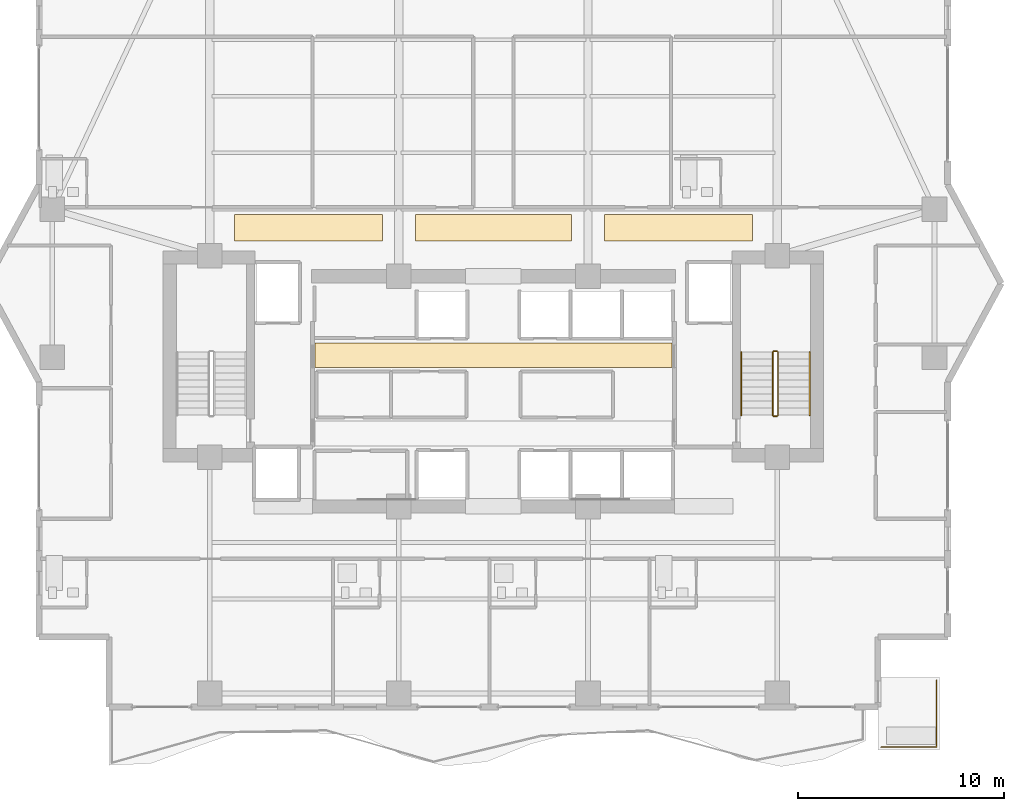
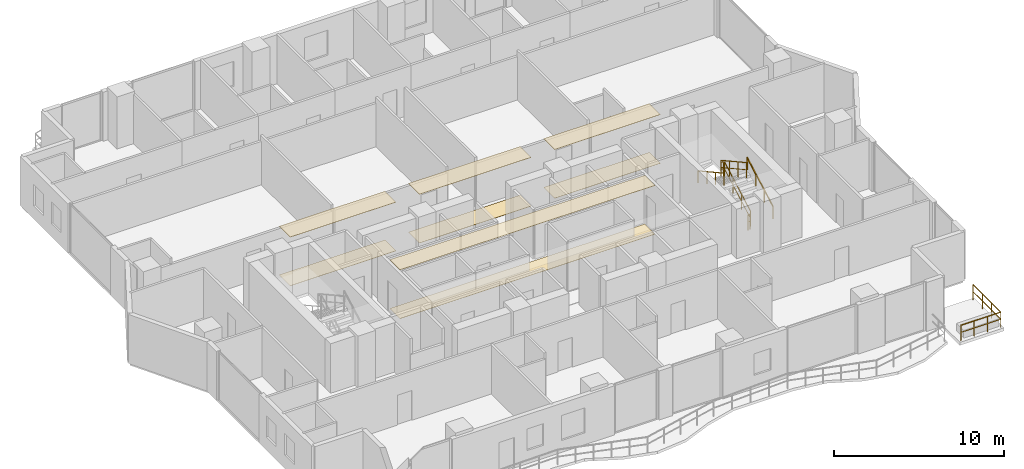
# One storey, part 30 of 32: 8 coverings, 7 railings.
"""IFC4 building model written with IfcOpenShell, lengths in metres."""

from ifc_helpers import new_model, si_unit, direction, frame, origin, origin_2d, place, context, subcontext, project, spatial, polyline, rectangle, outline, extrude, material, layer, layer_set, type_object, element, save


model = new_model("IFC4")

# Units and contexts
model_context = context("Model", 3, precision=1e-05, world=origin(), true_north=direction((0.0, 1.0)))
body_context = subcontext(model_context, "Body", "Model", "MODEL_VIEW")
ifc_project = project(units=[si_unit("LENGTHUNIT", "METRE"), si_unit("AREAUNIT", "SQUARE_METRE"), si_unit("VOLUMEUNIT", "CUBIC_METRE"), si_unit("PLANEANGLEUNIT", "RADIAN"), si_unit("MASSUNIT", "GRAM", prefix="KILO")], contexts=[model_context])

# Site, building, storey
site_placement = place(None, origin())
site = spatial("IfcSite", under=ifc_project, at=site_placement, CompositionType="ELEMENT")
building_placement = place(site_placement, origin())
building = spatial("IfcBuilding", under=site, at=building_placement, Name="Zuhayl Quay Hotel", CompositionType="ELEMENT")
storey_placement = place(building_placement, frame((0.0, 0.0, 203.64990234375)))
storey = spatial("IfcBuildingStorey", under=building, at=storey_placement, Name="L51", CompositionType="ELEMENT", Elevation=203.64990234375)

# Coverings
ifc_material_1 = material(Name="Acoustic Mineral-Fibre Gypsum Board")
ifc_layer_1 = layer(ifc_material_1, 0.02490234375, Name="Acoustic Mineral-Fibre Gypsum Board")
ifc_layer_set_1 = layer_set([ifc_layer_1], Name="Acoustic Mineral-Fibre Gypsum Board")
covering_type_1 = type_object("IfcCoveringType", Name="CV_CEIL_ACOUSTIC", PredefinedType="CEILING", material=ifc_layer_set_1)
covering_1_placement = place(storey_placement, frame((0.0, 0.0, 3.505126953125)))
element("IfcCovering", 1, at=covering_1_placement, inside=storey, type_object=covering_type_1, Name="L51 Suspended Acoustic Lobby Ceiling N", PredefinedType="CEILING", context=body_context, shape_type="SweptSolid", body=[
    extrude(outline(polyline([(-8.679931640625, 8.89990234375), (8.679931640625, 8.89990234375), (8.679931640625, 10.10009765625), (-8.679931640625, 10.10009765625), (-8.679931640625, 8.89990234375)])), origin(), (0.0, 0.0, 1.0), 0.02490234375),
])
covering_2_placement = place(storey_placement, frame((0.0, 0.0, 3.505126953125)))
element("IfcCovering", 2, at=covering_2_placement, inside=storey, type_object=covering_type_1, Name="L51 Guest Corridor Acoustic Ceiling CW", PredefinedType="CEILING", context=body_context, shape_type="SweptSolid", body=[
    extrude(outline(polyline([(-12.60009765625, 15.050048828125), (-5.39990234375, 15.050048828125), (-5.39990234375, 16.35009765625), (-12.60009765625, 16.35009765625), (-12.60009765625, 15.050048828125)])), origin(), (0.0, 0.0, 1.0), 0.02490234375),
])
covering_3_placement = place(storey_placement, frame((0.0, 0.0, 3.505126953125)))
element("IfcCovering", 3, at=covering_3_placement, inside=storey, type_object=covering_type_1, Name="L51 Guest Corridor Acoustic Ceiling CC", PredefinedType="CEILING", context=body_context, shape_type="SweptSolid", body=[
    extrude(outline(polyline([(-3.800048828125, 15.050048828125), (3.800048828125, 15.050048828125), (3.800048828125, 16.35009765625), (-3.800048828125, 16.35009765625), (-3.800048828125, 15.050048828125)])), origin(), (0.0, 0.0, 1.0), 0.02490234375),
])
covering_4_placement = place(storey_placement, frame((0.0, 0.0, 3.505126953125)))
element("IfcCovering", 4, at=covering_4_placement, inside=storey, type_object=covering_type_1, Name="L51 Guest Corridor Acoustic Ceiling CE", PredefinedType="CEILING", context=body_context, shape_type="SweptSolid", body=[
    extrude(outline(polyline([(5.39990234375, 15.050048828125), (12.60009765625, 15.050048828125), (12.60009765625, 16.35009765625), (5.39990234375, 16.35009765625), (5.39990234375, 15.050048828125)])), origin(), (0.0, 0.0, 1.0), 0.02490234375),
])
ifc_material_2 = material(Name="Polished Limestone Terrazzo", Category="masonry")
ifc_layer_2 = layer(ifc_material_2, 0.02001953125, Name="Polished Limestone Terrazzo", Category="masonry")
ifc_layer_set_2 = layer_set([ifc_layer_2], Name="Polished Limestone Terrazzo")
covering_type_2 = type_object("IfcCoveringType", Name="CV_FLOOR_TERRAZZO", PredefinedType="FLOORING", material=ifc_layer_set_2)
covering_5_placement = place(storey_placement, origin())
element("IfcCovering", 5, at=covering_5_placement, inside=storey, type_object=covering_type_2, Name="L51 Honed Limestone Terrazzo Lobby Flooring N", PredefinedType="FLOORING", context=body_context, shape_type="SweptSolid", body=[
    extrude(outline(polyline([(-8.679931640625, 8.89990234375), (8.679931640625, 8.89990234375), (8.679931640625, 10.10009765625), (-8.679931640625, 10.10009765625), (-8.679931640625, 8.89990234375)])), origin(), (0.0, 0.0, 1.0), 0.02001953125),
])
covering_6_placement = place(storey_placement, origin())
element("IfcCovering", 6, at=covering_6_placement, inside=storey, type_object=covering_type_2, Name="L51 Guest Corridor Terrazzo Runner CW", PredefinedType="FLOORING", context=body_context, shape_type="SweptSolid", body=[
    extrude(outline(polyline([(-12.60009765625, 15.050048828125), (-5.39990234375, 15.050048828125), (-5.39990234375, 16.35009765625), (-12.60009765625, 16.35009765625), (-12.60009765625, 15.050048828125)])), origin(), (0.0, 0.0, 1.0), 0.02001953125),
])
covering_7_placement = place(storey_placement, origin())
element("IfcCovering", 7, at=covering_7_placement, inside=storey, type_object=covering_type_2, Name="L51 Guest Corridor Terrazzo Runner CC", PredefinedType="FLOORING", context=body_context, shape_type="SweptSolid", body=[
    extrude(outline(polyline([(-3.800048828125, 15.050048828125), (3.800048828125, 15.050048828125), (3.800048828125, 16.35009765625), (-3.800048828125, 16.35009765625), (-3.800048828125, 15.050048828125)])), origin(), (0.0, 0.0, 1.0), 0.02001953125),
])
covering_8_placement = place(storey_placement, origin())
element("IfcCovering", 8, at=covering_8_placement, inside=storey, type_object=covering_type_2, Name="L51 Guest Corridor Terrazzo Runner CE", PredefinedType="FLOORING", context=body_context, shape_type="SweptSolid", body=[
    extrude(outline(polyline([(5.39990234375, 15.050048828125), (12.60009765625, 15.050048828125), (12.60009765625, 16.35009765625), (5.39990234375, 16.35009765625), (5.39990234375, 15.050048828125)])), origin(), (0.0, 0.0, 1.0), 0.02001953125),
])

# Railings
ifc_material_3 = material(Name="Anodised Aluminium and Laminated Glass", Category="aluminium")
railing_type_1 = type_object("IfcRailingType", Name="RL_EXT_BAL_1100", PredefinedType="BALUSTRADE", material=ifc_material_3)
railing_1_placement = place(storey_placement, frame((18.840087890625, -9.56005859375, 0.0)))
element("IfcRailing", 9, at=railing_1_placement, inside=storey, type_object=railing_type_1, Name="L51 Balcony and Terrace Guard GR_L51_SPIRAL_SE", PredefinedType="BALUSTRADE", context=body_context, shape_type="SweptSolid", body=[
    extrude(rectangle(XDim=0.048095703125, YDim=0.048095703125, at=origin_2d()), frame((0.0, 0.0, 1.09619140625), z_axis=(1.0, 0.0, 0.0), x_axis=(0.0, 1.0, 0.0)), (0.0, 0.0, 1.0), 2.719970703125),
    extrude(rectangle(XDim=0.0361328125, YDim=0.0361328125, at=origin_2d()), frame((0.0, 0.0, 0.58251953125), z_axis=(1.0, 0.0, 0.0), x_axis=(0.0, 1.0, 0.0)), (0.0, 0.0, 1.0), 2.719970703125),
    extrude(rectangle(XDim=0.048095703125, YDim=0.048095703125, at=origin_2d()), frame((2.719970703125, 0.0, 1.09619140625), z_axis=(0.0, 1.0, 0.0), x_axis=(-1.0, 0.0, 0.0)), (0.0, 0.0, 1.0), 3.27001953125),
    extrude(rectangle(XDim=0.0361328125, YDim=0.0361328125, at=origin_2d()), frame((2.719970703125, 0.0, 0.58251953125), z_axis=(0.0, 1.0, 0.0), x_axis=(-1.0, 0.0, 0.0)), (0.0, 0.0, 1.0), 3.27001953125),
    extrude(rectangle(XDim=0.0419921875, YDim=0.0419921875, at=origin_2d()), origin(), (0.0, 0.0, 1.0), 1.072021484375),
    extrude(rectangle(XDim=0.0419921875, YDim=0.0419921875, at=origin_2d()), frame((0.90673828125, 0.0, 0.0)), (0.0, 0.0, 1.0), 1.072021484375),
    extrude(rectangle(XDim=0.0419921875, YDim=0.0419921875, at=origin_2d()), frame((1.813232421875, 0.0, 0.0)), (0.0, 0.0, 1.0), 1.072021484375),
    extrude(rectangle(XDim=0.0419921875, YDim=0.0419921875, at=origin_2d()), frame((2.719970703125, 0.0, 0.0)), (0.0, 0.0, 1.0), 1.072021484375),
    extrude(rectangle(XDim=0.0419921875, YDim=0.0419921875, at=origin_2d()), frame((2.719970703125, 1.090087890625, 0.0)), (0.0, 0.0, 1.0), 1.072021484375),
    extrude(rectangle(XDim=0.0419921875, YDim=0.0419921875, at=origin_2d()), frame((2.719970703125, 2.179931640625, 0.0)), (0.0, 0.0, 1.0), 1.072021484375),
    extrude(rectangle(XDim=0.0419921875, YDim=0.0419921875, at=origin_2d()), frame((2.719970703125, 3.27001953125, 0.0)), (0.0, 0.0, 1.0), 1.072021484375),
])
ifc_material_4 = material(Name="Steel ASTM A992 Grade 50", Category="steel")
railing_type_2 = type_object("IfcRailingType", Name="RL_GUARD_1100", PredefinedType="GUARDRAIL", material=ifc_material_4)
railing_2_placement = place(storey_placement, frame((13.840087890625, 6.590087890625, 0.1875)))
element("IfcRailing", 10, at=railing_2_placement, inside=storey, type_object=railing_type_2, Name="L51 ST2 stair guard 1", PredefinedType="GUARDRAIL", context=body_context, shape_type="SweptSolid", body=[
    extrude(rectangle(XDim=0.048095703125, YDim=0.048095703125, at=origin_2d()), frame((0.0, 0.0, 1.09619140625), z_axis=(0.0, 0.875659195171, 0.482929574485), x_axis=(-1.0, 0.0, 0.0)), (0.0, 0.0, 1.0), 3.494384765625),
    extrude(rectangle(XDim=0.0361328125, YDim=0.0361328125, at=origin_2d()), frame((0.0, 0.0, 0.58251953125), z_axis=(0.0, 0.875659195171, 0.482929574485), x_axis=(-1.0, 0.0, 0.0)), (0.0, 0.0, 1.0), 3.494384765625),
    extrude(rectangle(XDim=0.0419921875, YDim=0.0419921875, at=origin_2d()), origin(), (0.0, 0.0, 1.0), 1.072021484375),
    extrude(rectangle(XDim=0.0419921875, YDim=0.0419921875, at=origin_2d()), frame((0.0, 1.02001953125, 0.5625)), (0.0, 0.0, 1.0), 1.072021484375),
    extrude(rectangle(XDim=0.0419921875, YDim=0.0419921875, at=origin_2d()), frame((0.0, 2.039794921875, 1.125)), (0.0, 0.0, 1.0), 1.072021484375),
    extrude(rectangle(XDim=0.0419921875, YDim=0.0419921875, at=origin_2d()), frame((0.0, 3.059814453125, 1.6875)), (0.0, 0.0, 1.0), 1.072021484375),
])
railing_3_placement = place(storey_placement, frame((13.7900390625, 9.699951171875, 1.875)))
element("IfcRailing", 11, at=railing_3_placement, inside=storey, type_object=railing_type_2, Name="L51 ST2 stair guard 2", PredefinedType="GUARDRAIL", context=body_context, shape_type="SweptSolid", body=[
    extrude(rectangle(XDim=0.048095703125, YDim=0.048095703125, at=origin_2d()), frame((0.0, 0.0, 1.09619140625), z_axis=(-1.0, 0.0, 0.0), x_axis=(0.0, -1.0, 0.0)), (0.0, 0.0, 1.0), 0.150146484375),
    extrude(rectangle(XDim=0.0361328125, YDim=0.0361328125, at=origin_2d()), frame((0.0, 0.0, 0.58251953125), z_axis=(-1.0, 0.0, 0.0), x_axis=(0.0, -1.0, 0.0)), (0.0, 0.0, 1.0), 0.150146484375),
    extrude(rectangle(XDim=0.0419921875, YDim=0.0419921875, at=origin_2d()), origin(), (0.0, 0.0, 1.0), 1.072021484375),
    extrude(rectangle(XDim=0.0419921875, YDim=0.0419921875, at=origin_2d()), frame((-0.150146484375, 0.0, 0.0)), (0.0, 0.0, 1.0), 1.072021484375),
])
railing_4_placement = place(storey_placement, frame((13.590087890625, 9.64990234375, 2.0625)))
element("IfcRailing", 12, at=railing_4_placement, inside=storey, type_object=railing_type_2, Name="L51 ST2 stair guard 3", PredefinedType="GUARDRAIL", context=body_context, shape_type="SweptSolid", body=[
    extrude(rectangle(XDim=0.048095703125, YDim=0.048095703125, at=origin_2d()), frame((0.0, 0.0, 1.09619140625), z_axis=(0.0, -0.875659195171, 0.482929574485), x_axis=(1.0, 0.0, 0.0)), (0.0, 0.0, 1.0), 3.494384765625),
    extrude(rectangle(XDim=0.0361328125, YDim=0.0361328125, at=origin_2d()), frame((0.0, 0.0, 0.58251953125), z_axis=(0.0, -0.875659195171, 0.482929574485), x_axis=(1.0, 0.0, 0.0)), (0.0, 0.0, 1.0), 3.494384765625),
    extrude(rectangle(XDim=0.0419921875, YDim=0.0419921875, at=origin_2d()), origin(), (0.0, 0.0, 1.0), 1.072021484375),
    extrude(rectangle(XDim=0.0419921875, YDim=0.0419921875, at=origin_2d()), frame((0.0, -1.02001953125, 0.5625)), (0.0, 0.0, 1.0), 1.072021484375),
    extrude(rectangle(XDim=0.0419921875, YDim=0.0419921875, at=origin_2d()), frame((0.0, -2.039794921875, 1.125)), (0.0, 0.0, 1.0), 1.072021484375),
    extrude(rectangle(XDim=0.0419921875, YDim=0.0419921875, at=origin_2d()), frame((0.0, -3.059814453125, 1.6875)), (0.0, 0.0, 1.0), 1.072021484375),
])
railing_5_placement = place(storey_placement, frame((13.7900390625, 6.5400390625, 0.0)))
element("IfcRailing", 13, at=railing_5_placement, inside=storey, type_object=railing_type_2, Name="L51 ST2 stair guard 4", PredefinedType="GUARDRAIL", context=body_context, shape_type="SweptSolid", body=[
    extrude(rectangle(XDim=0.048095703125, YDim=0.048095703125, at=origin_2d()), frame((0.0, 0.0, 1.09619140625), z_axis=(-1.0, 0.0, 0.0), x_axis=(0.0, -1.0, 0.0)), (0.0, 0.0, 1.0), 0.150146484375),
    extrude(rectangle(XDim=0.0361328125, YDim=0.0361328125, at=origin_2d()), frame((0.0, 0.0, 0.58251953125), z_axis=(-1.0, 0.0, 0.0), x_axis=(0.0, -1.0, 0.0)), (0.0, 0.0, 1.0), 0.150146484375),
    extrude(rectangle(XDim=0.0419921875, YDim=0.0419921875, at=origin_2d()), origin(), (0.0, 0.0, 1.0), 1.072021484375),
    extrude(rectangle(XDim=0.0419921875, YDim=0.0419921875, at=origin_2d()), frame((-0.150146484375, 0.0, 0.0)), (0.0, 0.0, 1.0), 1.072021484375),
])
railing_type_3 = type_object("IfcRailingType", Name="RL_HANDRAIL_920", PredefinedType="HANDRAIL", material=ifc_material_4)
railing_6_placement = place(storey_placement, frame((15.3798828125, 6.590087890625, 0.1875)))
element("IfcRailing", 14, at=railing_6_placement, inside=storey, type_object=railing_type_3, Name="L51 ST2 stair handrail 1", PredefinedType="HANDRAIL", context=body_context, shape_type="SweptSolid", body=[
    extrude(rectangle(XDim=0.048095703125, YDim=0.048095703125, at=origin_2d()), frame((0.0, 0.0, 0.8759765625), z_axis=(0.0, 0.875659195171, 0.482929574485), x_axis=(-1.0, 0.0, 0.0)), (0.0, 0.0, 1.0), 3.494384765625),
    extrude(rectangle(XDim=0.0419921875, YDim=0.0419921875, at=origin_2d()), origin(), (0.0, 0.0, 1.0), 0.851806640625),
    extrude(rectangle(XDim=0.0419921875, YDim=0.0419921875, at=origin_2d()), frame((0.0, 1.02001953125, 0.5625)), (0.0, 0.0, 1.0), 0.851806640625),
    extrude(rectangle(XDim=0.0419921875, YDim=0.0419921875, at=origin_2d()), frame((0.0, 2.039794921875, 1.125)), (0.0, 0.0, 1.0), 0.851806640625),
    extrude(rectangle(XDim=0.0419921875, YDim=0.0419921875, at=origin_2d()), frame((0.0, 3.059814453125, 1.6875)), (0.0, 0.0, 1.0), 0.851806640625),
])
railing_7_placement = place(storey_placement, frame((12.050048828125, 9.64990234375, 2.0625)))
element("IfcRailing", 15, at=railing_7_placement, inside=storey, type_object=railing_type_3, Name="L51 ST2 stair handrail 2", PredefinedType="HANDRAIL", context=body_context, shape_type="SweptSolid", body=[
    extrude(rectangle(XDim=0.048095703125, YDim=0.048095703125, at=origin_2d()), frame((0.0, 0.0, 0.8759765625), z_axis=(0.0, -0.875659195171, 0.482929574485), x_axis=(1.0, 0.0, 0.0)), (0.0, 0.0, 1.0), 3.494384765625),
    extrude(rectangle(XDim=0.0419921875, YDim=0.0419921875, at=origin_2d()), origin(), (0.0, 0.0, 1.0), 0.851806640625),
    extrude(rectangle(XDim=0.0419921875, YDim=0.0419921875, at=origin_2d()), frame((0.0, -1.02001953125, 0.5625)), (0.0, 0.0, 1.0), 0.851806640625),
    extrude(rectangle(XDim=0.0419921875, YDim=0.0419921875, at=origin_2d()), frame((0.0, -2.039794921875, 1.125)), (0.0, 0.0, 1.0), 0.851806640625),
    extrude(rectangle(XDim=0.0419921875, YDim=0.0419921875, at=origin_2d()), frame((0.0, -3.059814453125, 1.6875)), (0.0, 0.0, 1.0), 0.851806640625),
])

save(model, "model.ifc")
